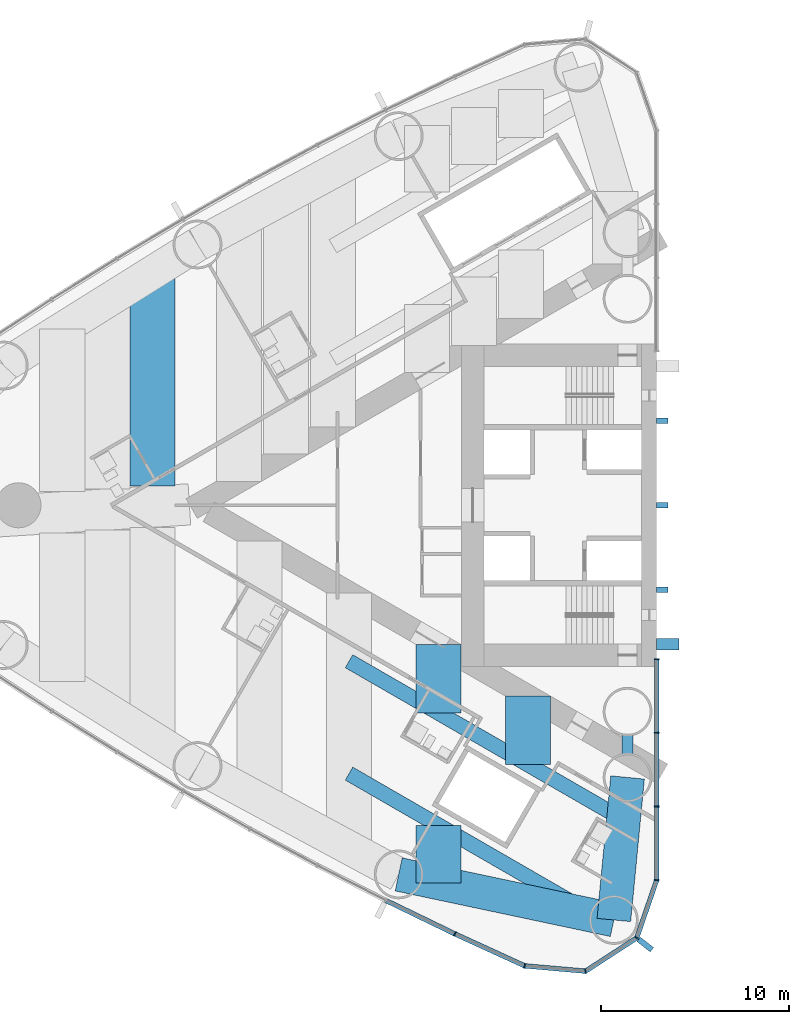
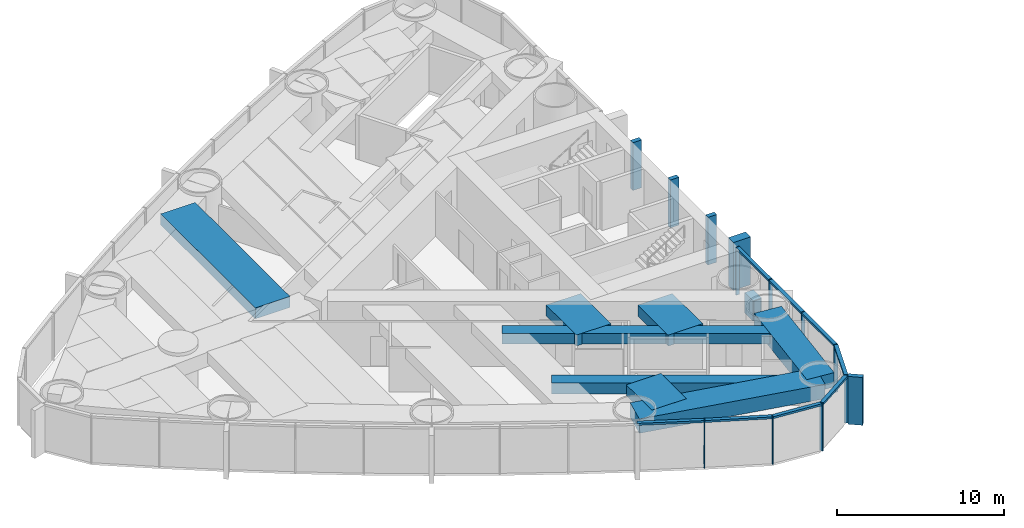
# One storey, part 3 of 18: 21 members, 9 beams, 1 element without a shape of its own.
"""IFC4 building model written with IfcOpenShell, lengths in metres."""

from ifc_helpers import new_model, si_unit, direction, frame, origin, origin_2d, place, context, subcontext, project, spatial, rectangle, hollow_rectangle, extrude, material, material_profile, profile_set, type_object, element, aggregate, save


model = new_model("IFC4")

# Units and contexts
model_context = context("Model", 3, precision=1e-05, world=origin(), true_north=direction((0.0, 1.0)))
body_context = subcontext(model_context, "Body", "Model", "MODEL_VIEW")
ifc_project = project(units=[si_unit("LENGTHUNIT", "METRE"), si_unit("AREAUNIT", "SQUARE_METRE"), si_unit("VOLUMEUNIT", "CUBIC_METRE"), si_unit("PLANEANGLEUNIT", "RADIAN"), si_unit("MASSUNIT", "GRAM", prefix="KILO")], contexts=[model_context])

# Site, building, storey
site_placement = place(None, origin())
site = spatial("IfcSite", under=ifc_project, at=site_placement, CompositionType="ELEMENT")
building_placement = place(site_placement, origin())
building = spatial("IfcBuilding", under=site, at=building_placement, Name="Lancet Gate Hotel", CompositionType="ELEMENT")
storey_placement = place(building_placement, frame((0.0, 0.0, 97.60009765625)))
storey = spatial("IfcBuildingStorey", under=building, at=storey_placement, Name="L25", CompositionType="ELEMENT", Elevation=97.60009765625)

# Curtain wall, members
ifc_material_1 = material(Name="Aluminium curtain wall", Category="aluminium")
curtain_wall_type = type_object("IfcCurtainWallType", Name="Tower unitised curtain wall", PredefinedType="USERDEFINED", material=ifc_material_1)
curtain_wall_placement = place(storey_placement, origin())
curtain_wall = element("IfcCurtainWall", 1, at=curtain_wall_placement, inside=storey, type_object=curtain_wall_type, Name="T1 L25 curtain wall 1", ObjectType="UNITISED CURTAIN WALL", PredefinedType="USERDEFINED")
ifc_material_2 = material(Name="Aluminium mullion", Category="aluminium")
ifc_material_profile_1 = material_profile(ifc_material_2, rectangle(XDim=0.06494140625, YDim=0.25, at=origin_2d()), Name="MULLION 65x250")
ifc_profile_set_1 = profile_set([ifc_material_profile_1], Name="Aluminium mullion")
member_type_1 = type_object("IfcMemberType", Name="Aluminium mullion 65x250", PredefinedType="MULLION", material=ifc_profile_set_1)
member_1_placement = place(storey_placement, frame((-38.25244140625, -22.83642578125, 0.0), z_axis=(0.0, 0.0, 1.0), x_axis=(0.904719609771, -0.426007544178, 0.0)))
member_1 = element("IfcMember", 2, at=member_1_placement, type_object=member_type_1, Name="T1 L25 curtain wall 1 mullion 29", PredefinedType="MULLION", context=body_context, shape_type="SweptSolid", body=[
    extrude(rectangle(XDim=0.06494140625, YDim=0.25, at=origin_2d()), origin(), (0.0, 0.0, 1.0), 3.5),
])
member_2_placement = place(storey_placement, frame((-34.5322265625, -24.53955078125, 0.0), z_axis=(0.0, 0.0, 1.0), x_axis=(0.961653318232, -0.27426792655, 0.0)))
member_2 = element("IfcMember", 3, at=member_2_placement, type_object=member_type_1, Name="T1 L25 curtain wall 1 mullion 30", PredefinedType="MULLION", context=body_context, shape_type="SweptSolid", body=[
    extrude(rectangle(XDim=0.06494140625, YDim=0.25, at=origin_2d()), origin(), (0.0, 0.0, 1.0), 3.5),
])
member_3_placement = place(storey_placement, frame((-31.289306640625, -24.822265625, 0.0), z_axis=(0.0, 0.0, 1.0), x_axis=(0.970242142288, 0.242136707934, 0.0)))
member_3 = element("IfcMember", 4, at=member_3_placement, type_object=member_type_1, Name="T1 L25 curtain wall 1 mullion 31", PredefinedType="MULLION", context=body_context, shape_type="SweptSolid", body=[
    extrude(rectangle(XDim=0.06494140625, YDim=0.25, at=origin_2d()), origin(), (0.0, 0.0, 1.0), 3.5),
])
member_4_placement = place(storey_placement, frame((-28.5595703125, -23.049072265625, 0.0), z_axis=(0.0, 0.0, 1.0), x_axis=(0.615574240878, 0.788078900851, 0.0)))
member_4 = element("IfcMember", 5, at=member_4_placement, type_object=member_type_1, Name="T1 L25 curtain wall 1 mullion 32", PredefinedType="MULLION", context=body_context, shape_type="SweptSolid", body=[
    extrude(rectangle(XDim=0.06494140625, YDim=0.25, at=origin_2d()), origin(), (0.0, 0.0, 1.0), 3.5),
])
member_5_placement = place(storey_placement, frame((-27.5, -19.97119140625, 0.0), z_axis=(0.0, 0.0, 1.0), x_axis=(0.149634446211, 0.988741388082, 0.0)))
member_5 = element("IfcMember", 6, at=member_5_placement, type_object=member_type_1, Name="T1 L25 curtain wall 1 mullion 33", PredefinedType="MULLION", context=body_context, shape_type="SweptSolid", body=[
    extrude(rectangle(XDim=0.06494140625, YDim=0.25, at=origin_2d()), origin(), (0.0, 0.0, 1.0), 3.5),
])
member_6_placement = place(storey_placement, frame((-27.5, -16.04736328125, 0.0), z_axis=(0.0, 0.0, 1.0), x_axis=(0.0, 1.0, 0.0)))
member_6 = element("IfcMember", 7, at=member_6_placement, type_object=member_type_1, Name="T1 L25 curtain wall 1 mullion 34", PredefinedType="MULLION", context=body_context, shape_type="SweptSolid", body=[
    extrude(rectangle(XDim=0.06494140625, YDim=0.25, at=origin_2d()), origin(), (0.0, 0.0, 1.0), 3.5),
])
member_7_placement = place(storey_placement, frame((-27.5, -12.123779296875, 0.0), z_axis=(0.0, 0.0, 1.0), x_axis=(0.0, 1.0, 0.0)))
member_7 = element("IfcMember", 8, at=member_7_placement, type_object=member_type_1, Name="T1 L25 curtain wall 1 mullion 35", PredefinedType="MULLION", context=body_context, shape_type="SweptSolid", body=[
    extrude(rectangle(XDim=0.06494140625, YDim=0.25, at=origin_2d()), origin(), (0.0, 0.0, 1.0), 3.5),
])
member_8_placement = place(storey_placement, frame((-27.5, -8.199951171875, 0.0), z_axis=(0.0, 0.0, 1.0), x_axis=(0.0, 1.0, 0.0)))
member_8 = element("IfcMember", 9, at=member_8_placement, type_object=member_type_1, Name="T1 L25 curtain wall 1 mullion 36", PredefinedType="MULLION", context=body_context, shape_type="SweptSolid", body=[
    extrude(rectangle(XDim=0.06494140625, YDim=0.25, at=origin_2d()), origin(), (0.0, 0.0, 1.0), 3.5),
])
ifc_material_3 = material(Name="Aluminium transom", Category="aluminium")
ifc_material_profile_2 = material_profile(ifc_material_3, rectangle(XDim=0.25, YDim=0.14990234375, at=origin_2d()), Name="TRANSOM 250x150")
ifc_profile_set_2 = profile_set([ifc_material_profile_2], Name="Aluminium transom")
member_type_2 = type_object("IfcMemberType", Name="Aluminium transom 250x150", PredefinedType="USERDEFINED", material=ifc_profile_set_2)
member_9_placement = place(storey_placement, frame((-41.906005859375, -21.067626953125, 3.4248046875), z_axis=(0.900065677074, -0.435754262117, 0.0), x_axis=(0.435754262117, 0.900065677074, 0.0)))
member_9 = element("IfcMember", 10, at=member_9_placement, type_object=member_type_2, Name="T1 L25 curtain wall 1 transom 28", ObjectType="TRANSOM", PredefinedType="USERDEFINED", context=body_context, shape_type="SweptSolid", body=[
    extrude(rectangle(XDim=0.25, YDim=0.14990234375, at=origin_2d()), origin(), (0.0, 0.0, 1.0), 4.026611328125),
])
member_10_placement = place(storey_placement, frame((-38.222900390625, -22.849853515625, 3.4248046875), z_axis=(0.909252284196, -0.416245460857, 0.0), x_axis=(0.416245460857, 0.909252284196, 0.0)))
member_10 = element("IfcMember", 11, at=member_10_placement, type_object=member_type_2, Name="T1 L25 curtain wall 1 transom 29", ObjectType="TRANSOM", PredefinedType="USERDEFINED", context=body_context, shape_type="SweptSolid", body=[
    extrude(rectangle(XDim=0.25, YDim=0.14990234375, at=origin_2d()), origin(), (0.0, 0.0, 1.0), 4.026611328125),
])
member_11_placement = place(storey_placement, frame((-34.499755859375, -24.542236328125, 3.4248046875), z_axis=(0.996213545522, -0.086940046686, 0.0), x_axis=(0.086940046686, 0.996213545522, 0.0)))
member_11 = element("IfcMember", 12, at=member_11_placement, type_object=member_type_2, Name="T1 L25 curtain wall 1 transom 30", ObjectType="TRANSOM", PredefinedType="USERDEFINED", context=body_context, shape_type="SweptSolid", body=[
    extrude(rectangle(XDim=0.25, YDim=0.14990234375, at=origin_2d()), origin(), (0.0, 0.0, 1.0), 3.18994140625),
])
member_12_placement = place(storey_placement, frame((-31.261962890625, -24.8046875, 3.4248046875), z_axis=(0.838550259452, 0.544824249068, 0.0), x_axis=(-0.544824249068, 0.838550259452, 0.0)))
member_12 = element("IfcMember", 13, at=member_12_placement, type_object=member_type_2, Name="T1 L25 curtain wall 1 transom 31", ObjectType="TRANSOM", PredefinedType="USERDEFINED", context=body_context, shape_type="SweptSolid", body=[
    extrude(rectangle(XDim=0.25, YDim=0.14990234375, at=origin_2d()), origin(), (0.0, 0.0, 1.0), 3.190185546875),
])
member_13_placement = place(storey_placement, frame((-28.549072265625, -23.018310546875, 3.4248046875), z_axis=(0.32553312754, 0.945530635609, 0.0), x_axis=(-0.945530635609, 0.32553312754, 0.0)))
member_13 = element("IfcMember", 14, at=member_13_placement, type_object=member_type_2, Name="T1 L25 curtain wall 1 transom 32", ObjectType="TRANSOM", PredefinedType="USERDEFINED", context=body_context, shape_type="SweptSolid", body=[
    extrude(rectangle(XDim=0.25, YDim=0.14990234375, at=origin_2d()), origin(), (0.0, 0.0, 1.0), 3.1904296875),
])
member_14_placement = place(storey_placement, frame((-27.5, -19.9384765625, 3.4248046875), z_axis=(0.0, 1.0, 0.0), x_axis=(-1.0, 0.0, 0.0)))
member_14 = element("IfcMember", 15, at=member_14_placement, type_object=member_type_2, Name="T1 L25 curtain wall 1 transom 33", ObjectType="TRANSOM", PredefinedType="USERDEFINED", context=body_context, shape_type="SweptSolid", body=[
    extrude(rectangle(XDim=0.25, YDim=0.14990234375, at=origin_2d()), origin(), (0.0, 0.0, 1.0), 3.858642578125),
])
member_15_placement = place(storey_placement, frame((-27.5, -16.014892578125, 3.4248046875), z_axis=(0.0, 1.0, 0.0), x_axis=(-1.0, 0.0, 0.0)))
member_15 = element("IfcMember", 16, at=member_15_placement, type_object=member_type_2, Name="T1 L25 curtain wall 1 transom 34", ObjectType="TRANSOM", PredefinedType="USERDEFINED", context=body_context, shape_type="SweptSolid", body=[
    extrude(rectangle(XDim=0.25, YDim=0.14990234375, at=origin_2d()), origin(), (0.0, 0.0, 1.0), 3.858642578125),
])
member_16_placement = place(storey_placement, frame((-27.5, -12.09130859375, 3.4248046875), z_axis=(0.0, 1.0, 0.0), x_axis=(-1.0, 0.0, 0.0)))
member_16 = element("IfcMember", 17, at=member_16_placement, type_object=member_type_2, Name="T1 L25 curtain wall 1 transom 35", ObjectType="TRANSOM", PredefinedType="USERDEFINED", context=body_context, shape_type="SweptSolid", body=[
    extrude(rectangle(XDim=0.25, YDim=0.14990234375, at=origin_2d()), origin(), (0.0, 0.0, 1.0), 3.85888671875),
])

# Beams
ifc_material_4 = material(Name="Concrete C50/60", Category="concrete")
ifc_material_profile_3 = material_profile(ifc_material_4, rectangle(XDim=1.800048828125, YDim=1.050048828125, at=origin_2d()), Name="RC 1800x1050")
ifc_profile_set_3 = profile_set([ifc_material_profile_3], Name="Concrete C50/60")
beam_type_1 = type_object("IfcBeamType", Name="Edge beam RC 1800x1050", PredefinedType="SPANDREL", material=ifc_profile_set_3)
beam_1_placement = place(storey_placement, frame((-41.244873046875, -19.665771484375, 2.724853515625), z_axis=(0.978282156247, -0.207277646573, 0.0), x_axis=(0.207277646573, 0.978282156247, 0.0)))
element("IfcBeam", 18, at=beam_1_placement, inside=storey, type_object=beam_type_1, Name="T1 edge beam EB1 L25", PredefinedType="SPANDREL", context=body_context, shape_type="SweptSolid", body=[
    extrude(rectangle(XDim=1.800048828125, YDim=1.050048828125, at=origin_2d()), origin(), (0.0, 0.0, 1.0), 11.71826171875),
])
beam_2_placement = place(storey_placement, frame((-29.050048828125, -14.5, 2.724853515625), z_axis=(-0.095802643786, -0.995400348324, 0.0), x_axis=(0.995400348324, -0.095802643786, 0.0)))
element("IfcBeam", 19, at=beam_2_placement, inside=storey, type_object=beam_type_1, Name="T1 edge beam EB1 L25", PredefinedType="SPANDREL", context=body_context, shape_type="SweptSolid", body=[
    extrude(rectangle(XDim=1.800048828125, YDim=1.050048828125, at=origin_2d()), origin(), (0.0, 0.0, 1.0), 7.6298828125),
])

# Member
ifc_material_5 = material(Name="Concrete C60/75", Category="concrete")
ifc_material_profile_4 = material_profile(ifc_material_5, rectangle(XDim=0.60009765625, YDim=1.199951171875, at=origin_2d()), Name="FIN 600x1200")
ifc_profile_set_4 = profile_set([ifc_material_profile_4], Name="Concrete C60/75")
member_type_3 = type_object("IfcMemberType", Name="Exposed concrete buttress pilaster 600x1200", PredefinedType="USERDEFINED", material=ifc_profile_set_4)
member_17_placement = place(storey_placement, frame((-26.909912109375, -7.39990234375, 0.0), z_axis=(0.0, 0.0, 1.0), x_axis=(0.0, 1.0, 0.0)))
element("IfcMember", 20, at=member_17_placement, inside=storey, type_object=member_type_3, Name="T1 buttress pilaster N L25", ObjectType="FIN", PredefinedType="USERDEFINED", context=body_context, shape_type="SweptSolid", body=[
    extrude(rectangle(XDim=0.60009765625, YDim=1.199951171875, at=origin_2d()), origin(), (0.0, 0.0, 1.0), 3.5),
])

ifc_material_6 = material(Name="Precast concrete C50/60", Category="concrete")
ifc_material_profile_5 = material_profile(ifc_material_6, rectangle(XDim=0.300048828125, YDim=0.89990234375, at=origin_2d()), Name="FIN 300x900")
ifc_profile_set_5 = profile_set([ifc_material_profile_5], Name="Precast concrete C50/60")
member_type_4 = type_object("IfcMemberType", Name="Exposed concrete fin 300x900", PredefinedType="USERDEFINED", material=ifc_profile_set_5)
member_18_placement = place(storey_placement, frame((-28.1064453125, -23.40283203125, 0.0), z_axis=(0.0, 0.0, 1.0), x_axis=(0.615574240878, 0.788078900851, 0.0)))
member_18 = element("IfcMember", 21, at=member_18_placement, type_object=member_type_4, Name="T1 L25 curtain wall 1 fin 32", ObjectType="FIN", PredefinedType="USERDEFINED", context=body_context, shape_type="SweptSolid", body=[
    extrude(rectangle(XDim=0.300048828125, YDim=0.89990234375, at=origin_2d()), origin(), (0.0, 0.0, 1.0), 3.5),
])

aggregate(curtain_wall, [member_1, member_2, member_3, member_4, member_18, member_5, member_6, member_7, member_8, member_9, member_10, member_11, member_12, member_13, member_14, member_15, member_16])

# Members
ifc_material_7 = material(Name="Concrete C60/75", Category="concrete")
ifc_material_profile_6 = material_profile(ifc_material_7, rectangle(XDim=0.300048828125, YDim=0.60009765625, at=origin_2d()), Name="FIN 300x600")
ifc_profile_set_6 = profile_set([ifc_material_profile_6], Name="Concrete C60/75")
member_type_5 = type_object("IfcMemberType", Name="Exposed concrete rib 300x600", PredefinedType="USERDEFINED", material=ifc_profile_set_6)
for number, where, z_axis, x_axis, name in (
    (22, (-27.2099609375, 4.5, 0.0), (0.0, 0.0, 1.0), (0.0, 1.0, 0.0), "T1 core rib 1 L25"),
    (23, (-27.2099609375, 0.0, 0.0), (0.0, 0.0, 1.0), (0.0, 1.0, 0.0), "T1 core rib 2 L25"),
    (24, (-27.2099609375, -4.5, 0.0), (0.0, 0.0, 1.0), (0.0, 1.0, 0.0), "T1 core rib 3 L25"),
):
    element("IfcMember", number, at=place(storey_placement, frame(where, z_axis=z_axis, x_axis=x_axis)), inside=storey, type_object=member_type_5, Name=name, ObjectType="FIN", PredefinedType="USERDEFINED", context=body_context, shape_type="SweptSolid", body=[
        extrude(rectangle(XDim=0.300048828125, YDim=0.60009765625, at=origin_2d()), origin(), (0.0, 0.0, 1.0), 3.5),
    ])

# Beams
ifc_material_8 = material(Name="Concrete C50/60", Category="concrete")
ifc_material_profile_7 = material_profile(ifc_material_8, rectangle(XDim=2.39990234375, YDim=0.800048828125, at=origin_2d()), Name="RC 2400x800")
ifc_profile_set_7 = profile_set([ifc_material_profile_7], Name="Concrete C50/60")
beam_type_2 = type_object("IfcBeamType", Name="Floor beam RC 2400x800", PredefinedType="BEAM", material=ifc_profile_set_7)
beam_3_placement = place(storey_placement, frame((-54.3681640625, 12.392333984375, 2.849853515625), z_axis=(0.0, -1.0, 0.0), x_axis=(1.0, 0.0, 0.0)))
element("IfcBeam", 25, at=beam_3_placement, inside=storey, type_object=beam_type_2, Name="T1 floor beam F13S L25", PredefinedType="BEAM", context=body_context, shape_type="SweptSolid", body=[
    extrude(rectangle(XDim=2.39990234375, YDim=0.800048828125, at=origin_2d()), origin(), (0.0, 0.0, 1.0), 11.364990234375),
])
beam_4_placement = place(storey_placement, frame((-34.353515625, -10.169921875, 2.849853515625), z_axis=(0.0, -1.0, 0.0), x_axis=(1.0, 0.0, 0.0)))
element("IfcBeam", 26, at=beam_4_placement, inside=storey, type_object=beam_type_2, Name="T1 floor beam F03NA L25", PredefinedType="BEAM", context=body_context, shape_type="SweptSolid", body=[
    extrude(rectangle(XDim=2.39990234375, YDim=0.800048828125, at=origin_2d()), origin(), (0.0, 0.0, 1.0), 3.645751953125),
])
beam_5_placement = place(storey_placement, frame((-39.122314453125, -7.41650390625, 2.849853515625), z_axis=(0.0, -1.0, 0.0), x_axis=(1.0, 0.0, 0.0)))
element("IfcBeam", 27, at=beam_5_placement, inside=storey, type_object=beam_type_2, Name="T1 floor beam F06NA L25", PredefinedType="BEAM", context=body_context, shape_type="SweptSolid", body=[
    extrude(rectangle(XDim=2.39990234375, YDim=0.800048828125, at=origin_2d()), origin(), (0.0, 0.0, 1.0), 3.64599609375),
])
beam_6_placement = place(storey_placement, frame((-39.122314453125, -17.0498046875, 2.849853515625), z_axis=(0.0, -1.0, 0.0), x_axis=(1.0, 0.0, 0.0)))
element("IfcBeam", 28, at=beam_6_placement, inside=storey, type_object=beam_type_2, Name="T1 floor beam F06NB L25", PredefinedType="BEAM", context=body_context, shape_type="SweptSolid", body=[
    extrude(rectangle(XDim=2.39990234375, YDim=0.800048828125, at=origin_2d()), origin(), (0.0, 0.0, 1.0), 3.065673828125),
])
ifc_material_9 = material(Name="Steel S460QL", Category="steel")
ifc_material_profile_8 = material_profile(ifc_material_9, hollow_rectangle(XDim=0.60009765625, YDim=1.5, WallThickness=0.050048828125, at=origin_2d()), Name="BOX 1500x600x50")
ifc_profile_set_8 = profile_set([ifc_material_profile_8], Name="Steel S460QL")
beam_type_3 = type_object("IfcBeamType", Name="Inner-face link beam BOX 1500x600x50", PredefinedType="BEAM", material=ifc_profile_set_8)
beam_7_placement = place(storey_placement, frame((-29.050048828125, -12.25, 2.5), z_axis=(0.0, -1.0, 0.0), x_axis=(1.0, 0.0, 0.0)))
element("IfcBeam", 29, at=beam_7_placement, inside=storey, type_object=beam_type_3, Name="T1 inner-face link beam LK1 L25", PredefinedType="BEAM", context=body_context, shape_type="SweptSolid", body=[
    extrude(hollow_rectangle(XDim=0.60009765625, YDim=1.5, WallThickness=0.050048828125, at=origin_2d()), origin(), (0.0, 0.0, 1.0), 1.0),
])
ifc_material_10 = material(Name="Steel S460QL", Category="steel")
ifc_material_profile_9 = material_profile(ifc_material_10, hollow_rectangle(XDim=0.800048828125, YDim=0.800048828125, WallThickness=0.080078125, at=origin_2d()), Name="BOX 800x800x80")
ifc_profile_set_9 = profile_set([ifc_material_profile_9], Name="Steel S460QL")
beam_type_4 = type_object("IfcBeamType", Name="Trimmer beam BOX 800x800x80", PredefinedType="BEAM", material=ifc_profile_set_9)
beam_8_placement = place(storey_placement, frame((-29.58447265625, -16.56884765625, 2.849853515625), z_axis=(-0.866040141834, 0.49997447208, 0.0), x_axis=(-0.49997447208, -0.866040141834, 0.0)))
element("IfcBeam", 30, at=beam_8_placement, inside=storey, type_object=beam_type_4, Name="T1 trimmer beam TR01N L25", PredefinedType="BEAM", context=body_context, shape_type="SweptSolid", body=[
    extrude(hollow_rectangle(XDim=0.800048828125, YDim=0.800048828125, WallThickness=0.080078125, at=origin_2d()), origin(), (0.0, 0.0, 1.0), 16.519775390625),
])
beam_9_placement = place(storey_placement, frame((-30.982421875, -21.7490234375, 2.849853515625), z_axis=(-0.866042392862, 0.4999705729, 0.0), x_axis=(-0.4999705729, -0.866042392862, 0.0)))
element("IfcBeam", 31, at=beam_9_placement, inside=storey, type_object=beam_type_4, Name="T1 trimmer beam TR03N L25", PredefinedType="BEAM", context=body_context, shape_type="SweptSolid", body=[
    extrude(hollow_rectangle(XDim=0.800048828125, YDim=0.800048828125, WallThickness=0.080078125, at=origin_2d()), origin(), (0.0, 0.0, 1.0), 14.90576171875),
])

save(model, "model.ifc")
